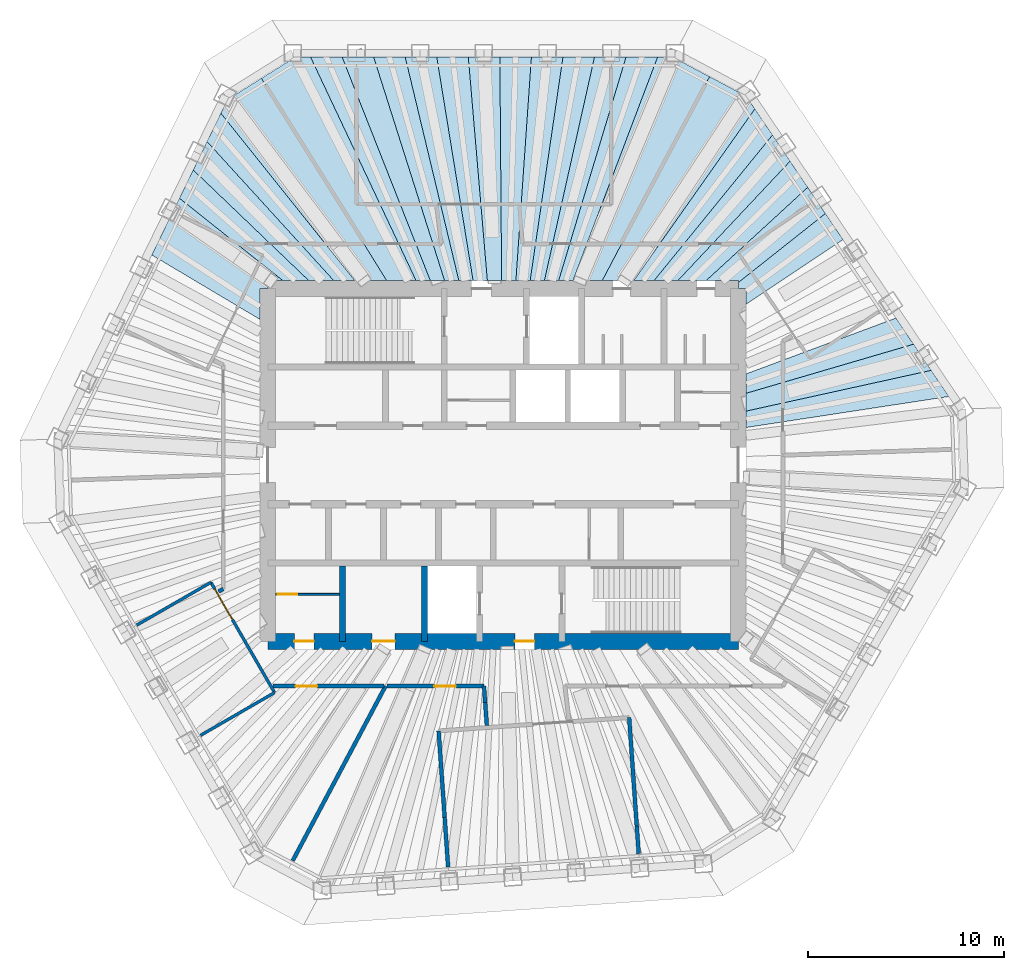
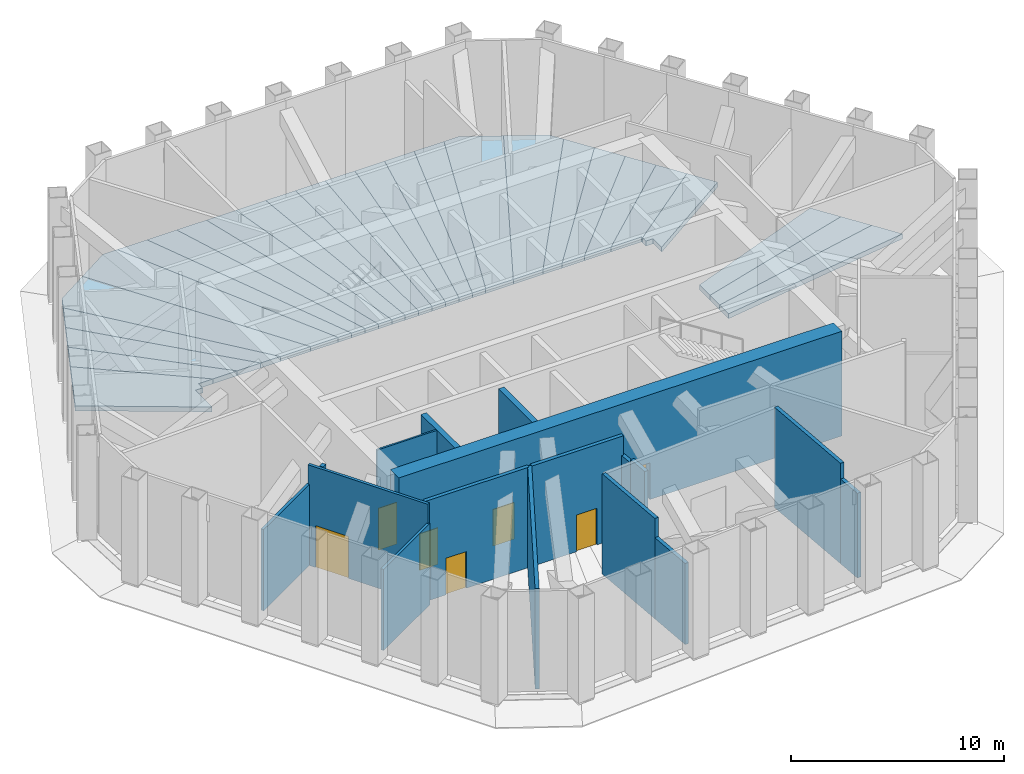
# One storey, part 5 of 10: 27 slabs, 17 walls, 7 doors, 7 openings.
"""IFC4 building model written with IfcOpenShell, lengths in metres."""

from ifc_helpers import new_model, si_unit, direction, frame, frame_2d, origin, place, context, subcontext, project, spatial, polyline, rectangle, outline, extrude, material, layer, layer_set, type_object, element, fill, save


model = new_model("IFC4")

# Units and contexts
model_context = context("Model", 3, precision=1e-05, world=origin(), true_north=direction((0.0, 1.0)))
body_context = subcontext(model_context, "Body", "Model", "MODEL_VIEW")
ifc_project = project(units=[si_unit("LENGTHUNIT", "METRE"), si_unit("AREAUNIT", "SQUARE_METRE"), si_unit("VOLUMEUNIT", "CUBIC_METRE"), si_unit("PLANEANGLEUNIT", "RADIAN"), si_unit("MASSUNIT", "GRAM", prefix="KILO")], contexts=[model_context])

# Site, building, storey
site_placement = place(None, origin())
site = spatial("IfcSite", under=ifc_project, at=site_placement, CompositionType="ELEMENT")
building_placement = place(site_placement, origin())
building = spatial("IfcBuilding", under=site, at=building_placement, Name="Qingtian Harvest Tower", CompositionType="ELEMENT")
storey_placement = place(building_placement, frame((0.0, 0.0, 337.60009765625)))
storey = spatial("IfcBuildingStorey", under=building, at=storey_placement, Name="L75", CompositionType="ELEMENT", Elevation=337.60009765625)

# Slabs
ifc_material_1 = material(Name="Concrete fc' 35 MPa", Category="concrete")
ifc_layer_1 = layer(ifc_material_1, 0.280029296875)
ifc_layer_set_1 = layer_set([ifc_layer_1], Name="Composite floor slab FS28 280")
slab_type = type_object("IfcSlabType", Name="Composite floor slab FS28 280", PredefinedType="FLOOR", material=ifc_layer_set_1)
slab_1_placement = place(storey_placement, frame((0.0, 0.0, -0.280029296875)))
element("IfcSlab", 1, at=slab_1_placement, inside=storey, type_object=slab_type, Name="Floor slab L75 panel D41", PredefinedType="FLOOR", context=body_context, shape_type="SweptSolid", body=[
    extrude(outline(polyline([(12.39990234375, 2.75048828125), (21.838623046875, 4.828369140625), (22.73828125, 3.494384765625), (12.39990234375, 1.91357421875), (12.39990234375, 2.75048828125)])), origin(), (0.0, 0.0, 1.0), 0.280029296875),
])
slab_2_placement = place(storey_placement, frame((0.0, 0.0, -0.280029296875)))
element("IfcSlab", 2, at=slab_2_placement, inside=storey, type_object=slab_type, Name="Floor slab L75 panel D42", PredefinedType="FLOOR", context=body_context, shape_type="SweptSolid", body=[
    extrude(outline(polyline([(12.39990234375, 3.659423828125), (20.93896484375, 6.162353515625), (21.838623046875, 4.828369140625), (12.39990234375, 2.75048828125), (12.39990234375, 3.659423828125)])), origin(), (0.0, 0.0, 1.0), 0.280029296875),
])
slab_3_placement = place(storey_placement, frame((0.0, 0.0, -0.280029296875)))
element("IfcSlab", 3, at=slab_3_placement, inside=storey, type_object=slab_type, Name="Floor slab L75 panel D43", PredefinedType="FLOOR", context=body_context, shape_type="SweptSolid", body=[
    extrude(outline(polyline([(12.39990234375, 4.64990234375), (20.0390625, 7.49609375), (20.93896484375, 6.162353515625), (12.39990234375, 3.659423828125), (12.39990234375, 4.64990234375)])), origin(), (0.0, 0.0, 1.0), 0.280029296875),
])
slab_4_placement = place(storey_placement, frame((0.0, 0.0, -0.280029296875)))
element("IfcSlab", 4, at=slab_4_placement, inside=storey, type_object=slab_type, Name="Floor slab L75 panel D47", PredefinedType="FLOOR", context=body_context, shape_type="SweptSolid", body=[
    extrude(outline(polyline([(12.39990234375, 9.0), (12.0, 9.0), (12.0, 9.30908203125), (16.44140625, 12.830078125), (17.340576171875, 11.4970703125), (12.39990234375, 8.199462890625), (12.39990234375, 9.0)])), origin(), (0.0, 0.0, 1.0), 0.280029296875),
])
slab_5_placement = place(storey_placement, frame((0.0, 0.0, -0.280029296875)))
element("IfcSlab", 5, at=slab_5_placement, inside=storey, type_object=slab_type, Name="Floor slab L75 panel D48", PredefinedType="FLOOR", context=body_context, shape_type="SweptSolid", body=[
    extrude(outline(polyline([(12.0, 9.39990234375), (10.349853515625, 9.39990234375), (15.541259765625, 14.164794921875), (16.44140625, 12.830078125), (12.0, 9.30908203125), (12.0, 9.39990234375)])), origin(), (0.0, 0.0, 1.0), 0.280029296875),
])
slab_6_placement = place(storey_placement, frame((0.0, 0.0, -0.280029296875)))
element("IfcSlab", 6, at=slab_6_placement, inside=storey, type_object=slab_type, Name="Floor slab L75 panel D49", PredefinedType="FLOOR", context=body_context, shape_type="SweptSolid", body=[
    extrude(outline(polyline([(8.907958984375, 9.39990234375), (14.641357421875, 15.498779296875), (15.541259765625, 14.164794921875), (10.349853515625, 9.39990234375), (8.907958984375, 9.39990234375)])), origin(), (0.0, 0.0, 1.0), 0.280029296875),
])
slab_7_placement = place(storey_placement, frame((0.0, 0.0, -0.280029296875)))
element("IfcSlab", 7, at=slab_7_placement, inside=storey, type_object=slab_type, Name="Floor slab L75 panel D50", PredefinedType="FLOOR", context=body_context, shape_type="SweptSolid", body=[
    extrude(outline(polyline([(7.695556640625, 9.39990234375), (13.74169921875, 16.832763671875), (14.641357421875, 15.498779296875), (8.907958984375, 9.39990234375), (7.695556640625, 9.39990234375)])), origin(), (0.0, 0.0, 1.0), 0.280029296875),
])
slab_8_placement = place(storey_placement, frame((0.0, 0.0, -0.280029296875)))
element("IfcSlab", 8, at=slab_8_placement, inside=storey, type_object=slab_type, Name="Floor slab L75 panel D51", PredefinedType="FLOOR", context=body_context, shape_type="SweptSolid", body=[
    extrude(outline(polyline([(6.662109375, 9.39990234375), (12.841796875, 18.16650390625), (13.74169921875, 16.832763671875), (7.695556640625, 9.39990234375), (6.662109375, 9.39990234375)])), origin(), (0.0, 0.0, 1.0), 0.280029296875),
])
slab_9_placement = place(storey_placement, frame((0.0, 0.0, -0.280029296875)))
element("IfcSlab", 9, at=slab_9_placement, inside=storey, type_object=slab_type, Name="Floor slab L75 panel D52", PredefinedType="FLOOR", context=body_context, shape_type="SweptSolid", body=[
    extrude(outline(polyline([(6.662109375, 9.39990234375), (5.05419921875, 9.39990234375), (10.533935546875, 19.809814453125), (12.404296875, 18.8154296875), (12.841796875, 18.16650390625), (6.662109375, 9.39990234375)])), origin(), (0.0, 0.0, 1.0), 0.280029296875),
])
slab_10_placement = place(storey_placement, frame((0.0, 0.0, -0.280029296875)))
element("IfcSlab", 10, at=slab_10_placement, inside=storey, type_object=slab_type, Name="Floor slab L75 panel D53", PredefinedType="FLOOR", context=body_context, shape_type="SweptSolid", body=[
    extrude(outline(polyline([(3.560302734375, 9.39990234375), (7.880126953125, 20.804931640625), (8.662109375, 20.804931640625), (10.533935546875, 19.809814453125), (5.05419921875, 9.39990234375), (3.560302734375, 9.39990234375)])), origin(), (0.0, 0.0, 1.0), 0.280029296875),
])
slab_11_placement = place(storey_placement, frame((0.0, 0.0, -0.280029296875)))
element("IfcSlab", 11, at=slab_11_placement, inside=storey, type_object=slab_type, Name="Floor slab L75 panel D54", PredefinedType="FLOOR", context=body_context, shape_type="SweptSolid", body=[
    extrude(outline(polyline([(2.833251953125, 9.39990234375), (6.27099609375, 20.804931640625), (7.880126953125, 20.804931640625), (3.560302734375, 9.39990234375), (2.833251953125, 9.39990234375)])), origin(), (0.0, 0.0, 1.0), 0.280029296875),
])
slab_12_placement = place(storey_placement, frame((0.0, 0.0, -0.280029296875)))
element("IfcSlab", 12, at=slab_12_placement, inside=storey, type_object=slab_type, Name="Floor slab L75 panel D55", PredefinedType="FLOOR", context=body_context, shape_type="SweptSolid", body=[
    extrude(outline(polyline([(2.1064453125, 9.39990234375), (4.662109375, 20.804931640625), (6.27099609375, 20.804931640625), (2.833251953125, 9.39990234375), (2.1064453125, 9.39990234375)])), origin(), (0.0, 0.0, 1.0), 0.280029296875),
])
slab_13_placement = place(storey_placement, frame((0.0, 0.0, -0.280029296875)))
element("IfcSlab", 13, at=slab_13_placement, inside=storey, type_object=slab_type, Name="Floor slab L75 panel D56", PredefinedType="FLOOR", context=body_context, shape_type="SweptSolid", body=[
    extrude(outline(polyline([(1.37939453125, 9.39990234375), (3.05322265625, 20.804931640625), (4.662109375, 20.804931640625), (2.1064453125, 9.39990234375), (1.37939453125, 9.39990234375)])), origin(), (0.0, 0.0, 1.0), 0.280029296875),
])
slab_14_placement = place(storey_placement, frame((0.0, 0.0, -0.280029296875)))
element("IfcSlab", 14, at=slab_14_placement, inside=storey, type_object=slab_type, Name="Floor slab L75 panel D57", PredefinedType="FLOOR", context=body_context, shape_type="SweptSolid", body=[
    extrude(outline(polyline([(0.652587890625, 9.39990234375), (1.4443359375, 20.804931640625), (3.05322265625, 20.804931640625), (1.37939453125, 9.39990234375), (0.652587890625, 9.39990234375)])), origin(), (0.0, 0.0, 1.0), 0.280029296875),
])
slab_15_placement = place(storey_placement, frame((0.0, 0.0, -0.280029296875)))
element("IfcSlab", 15, at=slab_15_placement, inside=storey, type_object=slab_type, Name="Floor slab L75 panel D58", PredefinedType="FLOOR", context=body_context, shape_type="SweptSolid", body=[
    extrude(outline(polyline([(-0.074462890625, 9.39990234375), (-0.16455078125, 20.804931640625), (1.4443359375, 20.804931640625), (0.652587890625, 9.39990234375), (-0.074462890625, 9.39990234375)])), origin(), (0.0, 0.0, 1.0), 0.280029296875),
])
slab_16_placement = place(storey_placement, frame((0.0, 0.0, -0.280029296875)))
element("IfcSlab", 16, at=slab_16_placement, inside=storey, type_object=slab_type, Name="Floor slab L75 panel D59", PredefinedType="FLOOR", context=body_context, shape_type="SweptSolid", body=[
    extrude(outline(polyline([(-0.80126953125, 9.39990234375), (-1.773681640625, 20.804931640625), (-0.16455078125, 20.804931640625), (-0.074462890625, 9.39990234375), (-0.80126953125, 9.39990234375)])), origin(), (0.0, 0.0, 1.0), 0.280029296875),
])
slab_17_placement = place(storey_placement, frame((0.0, 0.0, -0.280029296875)))
element("IfcSlab", 17, at=slab_17_placement, inside=storey, type_object=slab_type, Name="Floor slab L75 panel D60", PredefinedType="FLOOR", context=body_context, shape_type="SweptSolid", body=[
    extrude(outline(polyline([(-1.5283203125, 9.39990234375), (-3.382568359375, 20.804931640625), (-1.773681640625, 20.804931640625), (-0.80126953125, 9.39990234375), (-1.5283203125, 9.39990234375)])), origin(), (0.0, 0.0, 1.0), 0.280029296875),
])
slab_18_placement = place(storey_placement, frame((0.0, 0.0, -0.280029296875)))
element("IfcSlab", 18, at=slab_18_placement, inside=storey, type_object=slab_type, Name="Floor slab L75 panel D61", PredefinedType="FLOOR", context=body_context, shape_type="SweptSolid", body=[
    extrude(outline(polyline([(-2.255126953125, 9.39990234375), (-4.991455078125, 20.804931640625), (-3.382568359375, 20.804931640625), (-1.5283203125, 9.39990234375), (-2.255126953125, 9.39990234375)])), origin(), (0.0, 0.0, 1.0), 0.280029296875),
])
slab_19_placement = place(storey_placement, frame((0.0, 0.0, -0.280029296875)))
element("IfcSlab", 19, at=slab_19_placement, inside=storey, type_object=slab_type, Name="Floor slab L75 panel D62", PredefinedType="FLOOR", context=body_context, shape_type="SweptSolid", body=[
    extrude(outline(polyline([(-2.982177734375, 9.39990234375), (-6.600341796875, 20.804931640625), (-4.991455078125, 20.804931640625), (-2.255126953125, 9.39990234375), (-2.982177734375, 9.39990234375)])), origin(), (0.0, 0.0, 1.0), 0.280029296875),
])
slab_20_placement = place(storey_placement, frame((0.0, 0.0, -0.280029296875)))
element("IfcSlab", 20, at=slab_20_placement, inside=storey, type_object=slab_type, Name="Floor slab L75 panel D63", PredefinedType="FLOOR", context=body_context, shape_type="SweptSolid", body=[
    extrude(outline(polyline([(-3.708984375, 9.39990234375), (-8.209228515625, 20.804931640625), (-6.600341796875, 20.804931640625), (-2.982177734375, 9.39990234375), (-3.708984375, 9.39990234375)])), origin(), (0.0, 0.0, 1.0), 0.280029296875),
])
slab_21_placement = place(storey_placement, frame((0.0, 0.0, -0.280029296875)))
element("IfcSlab", 21, at=slab_21_placement, inside=storey, type_object=slab_type, Name="Floor slab L75 panel D64", PredefinedType="FLOOR", context=body_context, shape_type="SweptSolid", body=[
    extrude(outline(polyline([(-4.43603515625, 9.39990234375), (-9.818115234375, 20.804931640625), (-8.209228515625, 20.804931640625), (-3.708984375, 9.39990234375), (-4.43603515625, 9.39990234375)])), origin(), (0.0, 0.0, 1.0), 0.280029296875),
])
slab_22_placement = place(storey_placement, frame((0.0, 0.0, -0.280029296875)))
element("IfcSlab", 22, at=slab_22_placement, inside=storey, type_object=slab_type, Name="Floor slab L75 panel D65", PredefinedType="FLOOR", context=body_context, shape_type="SweptSolid", body=[
    extrude(outline(polyline([(-4.43603515625, 9.39990234375), (-5.935302734375, 9.39990234375), (-12.327392578125, 19.725830078125), (-10.600341796875, 20.804931640625), (-9.818115234375, 20.804931640625), (-4.43603515625, 9.39990234375)])), origin(), (0.0, 0.0, 1.0), 0.280029296875),
])
slab_23_placement = place(storey_placement, frame((0.0, 0.0, -0.280029296875)))
element("IfcSlab", 23, at=slab_23_placement, inside=storey, type_object=slab_type, Name="Floor slab L75 panel D66", PredefinedType="FLOOR", context=body_context, shape_type="SweptSolid", body=[
    extrude(outline(polyline([(-5.935302734375, 9.39990234375), (-7.560302734375, 9.39990234375), (-14.3955078125, 17.944580078125), (-14.052490234375, 18.64794921875), (-12.327392578125, 19.725830078125), (-5.935302734375, 9.39990234375)])), origin(), (0.0, 0.0, 1.0), 0.280029296875),
])
slab_24_placement = place(storey_placement, frame((0.0, 0.0, -0.280029296875)))
element("IfcSlab", 24, at=slab_24_placement, inside=storey, type_object=slab_type, Name="Floor slab L75 panel D67", PredefinedType="FLOOR", context=body_context, shape_type="SweptSolid", body=[
    extrude(outline(polyline([(-8.62890625, 9.39990234375), (-15.100830078125, 16.498291015625), (-14.3955078125, 17.944580078125), (-7.560302734375, 9.39990234375), (-8.62890625, 9.39990234375)])), origin(), (0.0, 0.0, 1.0), 0.280029296875),
])
slab_25_placement = place(storey_placement, frame((0.0, 0.0, -0.280029296875)))
element("IfcSlab", 25, at=slab_25_placement, inside=storey, type_object=slab_type, Name="Floor slab L75 panel D68", PredefinedType="FLOOR", context=body_context, shape_type="SweptSolid", body=[
    extrude(outline(polyline([(-9.90380859375, 9.39990234375), (-15.80615234375, 15.05224609375), (-15.100830078125, 16.498291015625), (-8.62890625, 9.39990234375), (-9.90380859375, 9.39990234375)])), origin(), (0.0, 0.0, 1.0), 0.280029296875),
])
slab_26_placement = place(storey_placement, frame((0.0, 0.0, -0.280029296875)))
element("IfcSlab", 26, at=slab_26_placement, inside=storey, type_object=slab_type, Name="Floor slab L75 panel D69", PredefinedType="FLOOR", context=body_context, shape_type="SweptSolid", body=[
    extrude(outline(polyline([(-11.224853515625, 9.39990234375), (-16.509765625, 13.609619140625), (-15.80615234375, 15.05224609375), (-9.90380859375, 9.39990234375), (-11.224853515625, 9.39990234375)])), origin(), (0.0, 0.0, 1.0), 0.280029296875),
])
slab_27_placement = place(storey_placement, frame((0.0, 0.0, -0.280029296875)))
element("IfcSlab", 27, at=slab_27_placement, inside=storey, type_object=slab_type, Name="Floor slab L75 panel D70", PredefinedType="FLOOR", context=body_context, shape_type="SweptSolid", body=[
    extrude(outline(polyline([(-12.0, 9.0), (-12.39990234375, 9.0), (-12.39990234375, 7.42578125), (-17.921875, 10.714599609375), (-16.509765625, 13.609619140625), (-11.224853515625, 9.39990234375), (-12.0, 9.39990234375), (-12.0, 9.0)])), origin(), (0.0, 0.0, 1.0), 0.280029296875),
])

# Walls
ifc_material_2 = material(Name="Precast concrete shaft panel", Category="concrete")
ifc_layer_2 = layer(ifc_material_2, 0.300048828125)
ifc_layer_set_2 = layer_set([ifc_layer_2], Name="Core shaft partition SW1 300")
wall_type_1 = type_object("IfcWallType", Name="Core shaft partition SW1 300", PredefinedType="PARTITIONING", material=ifc_layer_set_2)
for number, where, z_axis, x_axis, name in (
    (28, (-8.199951171875, -9.0, 0.0), (0.0, 0.0, 1.0), (0.0, 1.0, 0.0), "Core shaft partition XS1 L75"),
    (29, (-4.0, -9.0, 0.0), (0.0, 0.0, 1.0), (0.0, 1.0, 0.0), "Core shaft partition XS2 L75"),
):
    element("IfcWall", number, at=place(storey_placement, frame(where, z_axis=z_axis, x_axis=x_axis)), inside=storey, type_object=wall_type_1, Name=name, PredefinedType="PARTITIONING", context=body_context, shape_type="SweptSolid", body=[
        extrude(rectangle(XDim=3.85009765625, YDim=0.300048828125, at=frame_2d((1.925048828125, 0.0))), origin(), (0.0, 0.0, 1.0), 5.77978515625),
    ])

# Wall, openings, doors
ifc_material_3 = material(Name="Concrete fc' 70 MPa", Category="concrete")
ifc_layer_3 = layer(ifc_material_3, 0.800048828125)
ifc_layer_set_3 = layer_set([ifc_layer_3], Name="Core wall RC4 800")
wall_type_2 = type_object("IfcWallType", Name="Core wall RC4 800", PredefinedType="SHEAR", material=ifc_layer_set_3)
wall_1_placement = place(storey_placement, frame((-12.0, -9.0, 0.0), z_axis=(0.0, 0.0, 1.0), x_axis=(1.0, 0.0, 0.0)))
wall_1 = element("IfcWall", 30, at=wall_1_placement, inside=storey, type_object=wall_type_2, Name="Core wall CS L75", PredefinedType="SHEAR", context=body_context, shape_type="SweptSolid", body=[
    extrude(rectangle(XDim=24.0, YDim=0.800048828125, at=frame_2d((12.0, 0.0))), origin(), (0.0, 0.0, 1.0), 6.0),
])
opening_1_placement = place(wall_1_placement, frame((1.35009765625, 0.0, 0.0)))
opening_1 = element("IfcOpeningElement", 31, at=opening_1_placement, cuts=wall_1, Name="Opening FD1", PredefinedType="OPENING", context=body_context, shape_type="SweptSolid", body=[
    extrude(rectangle(XDim=1.0, YDim=2.10009765625, at=frame_2d((0.5, 1.050048828125))), frame((0.0, 0.409912109375, 0.0), z_axis=(0.0, -1.0, 0.0), x_axis=(1.0, 0.0, 0.0)), (0.0, 0.0, 1.0), 0.820068359375),
])
opening_2_placement = place(wall_1_placement, frame((5.324951171875, 0.0, 0.0)))
opening_2 = element("IfcOpeningElement", 32, at=opening_2_placement, cuts=wall_1, Name="Opening AD1", PredefinedType="OPENING", context=body_context, shape_type="SweptSolid", body=[
    extrude(rectangle(XDim=1.14990234375, YDim=2.10009765625, at=frame_2d((0.574951171875, 1.050048828125))), frame((0.0, 0.409912109375, 0.0), z_axis=(0.0, -1.0, 0.0), x_axis=(1.0, 0.0, 0.0)), (0.0, 0.0, 1.0), 0.820068359375),
])
opening_3_placement = place(wall_1_placement, frame((12.60009765625, 0.0, 0.0)))
opening_3 = element("IfcOpeningElement", 33, at=opening_3_placement, cuts=wall_1, Name="Opening FD1", PredefinedType="OPENING", context=body_context, shape_type="SweptSolid", body=[
    extrude(rectangle(XDim=1.0, YDim=2.10009765625, at=frame_2d((0.5, 1.050048828125))), frame((0.0, 0.409912109375, 0.0), z_axis=(0.0, -1.0, 0.0), x_axis=(1.0, 0.0, 0.0)), (0.0, 0.0, 1.0), 0.820068359375),
])
ifc_material_4 = material(Name="Laminated timber door leaf", Category="wood")
door_type_1 = type_object("IfcDoorType", Name="Accessible WC door AD1 single", OperationType="SINGLE_SWING_LEFT", PredefinedType="DOOR", material=ifc_material_4)
door_1_placement = place(opening_2_placement, origin())
door_1 = element("IfcDoor", 34, at=door_1_placement, inside=storey, type_object=door_type_1, Name="AWC door L75", OperationType="SINGLE_SWING_RIGHT", OverallHeight=2.10009765625, OverallWidth=1.14990234375, PredefinedType="DOOR", context=body_context, shape_type="SweptSolid", body=[
    extrude(rectangle(XDim=1.14990234375, YDim=2.10009765625, at=frame_2d((0.574951171875, 1.050048828125))), frame((0.0, 0.02490234375, 0.0), z_axis=(0.0, -1.0, 0.0), x_axis=(1.0, 0.0, 0.0)), (0.0, 0.0, 1.0), 0.050048828125),
])
fill(opening_2, door_1)
ifc_material_5 = material(Name="Steel-faced door leaf", Category="steel")
door_type_2 = type_object("IfcDoorType", Name="Fire door FD1 single 1 HR", OperationType="SINGLE_SWING_LEFT", PredefinedType="DOOR", material=ifc_material_5)
door_2_placement = place(opening_1_placement, origin())
door_2 = element("IfcDoor", 35, at=door_2_placement, inside=storey, type_object=door_type_2, Name="CLN door L75", OperationType="SINGLE_SWING_LEFT", OverallHeight=2.10009765625, OverallWidth=1.0, PredefinedType="DOOR", context=body_context, shape_type="SweptSolid", body=[
    extrude(rectangle(XDim=1.0, YDim=2.10009765625, at=frame_2d((0.5, 1.050048828125))), frame((0.0, 0.02490234375, 0.0), z_axis=(0.0, -1.0, 0.0), x_axis=(1.0, 0.0, 0.0)), (0.0, 0.0, 1.0), 0.050048828125),
])
fill(opening_1, door_2)
door_3_placement = place(opening_3_placement, origin())
door_3 = element("IfcDoor", 36, at=door_3_placement, inside=storey, type_object=door_type_2, Name="V2 door L75", OperationType="SINGLE_SWING_LEFT", OverallHeight=2.10009765625, OverallWidth=1.0, PredefinedType="DOOR", context=body_context, shape_type="SweptSolid", body=[
    extrude(rectangle(XDim=1.0, YDim=2.10009765625, at=frame_2d((0.5, 1.050048828125))), frame((0.0, 0.02490234375, 0.0), z_axis=(0.0, -1.0, 0.0), x_axis=(1.0, 0.0, 0.0)), (0.0, 0.0, 1.0), 0.050048828125),
])
fill(opening_3, door_3)

# Walls
ifc_material_6 = material(Name="Blockwork fire wall", Category="masonry")
ifc_layer_4 = layer(ifc_material_6, 0.199951171875)
ifc_layer_set_4 = layer_set([ifc_layer_4], Name="Fire partition FW1 200")
wall_type_3 = type_object("IfcWallType", Name="Fire partition FW1 200", PredefinedType="PARTITIONING", material=ifc_layer_set_4)
wall_2_placement = place(storey_placement, frame((6.917724609375, -19.82568359375, 0.0), z_axis=(0.0, 0.0, 1.0), x_axis=(-0.069722385129, 0.997566433383, 0.0)))
element("IfcWall", 37, at=wall_2_placement, inside=storey, type_object=wall_type_3, Name="Building maintenance unit room wall L75", PredefinedType="PARTITIONING", context=body_context, shape_type="SweptSolid", body=[
    extrude(rectangle(XDim=1.4111328125, YDim=0.199951171875, at=frame_2d((0.70556640625, 0.0))), origin(), (0.0, 0.0, 1.0), 4.849853515625),
])
wall_3_placement = place(storey_placement, frame((-2.802734375, -20.50537109375, 0.0), z_axis=(0.0, 0.0, 1.0), x_axis=(-0.069753698722, 0.997564244304, 0.0)))
element("IfcWall", 38, at=wall_3_placement, inside=storey, type_object=wall_type_3, Name="Building maintenance unit room wall L75", PredefinedType="PARTITIONING", context=body_context, shape_type="SweptSolid", body=[
    extrude(rectangle(XDim=2.54443359375, YDim=0.199951171875, at=frame_2d((1.272216796875, 0.0))), origin(), (0.0, 0.0, 1.0), 4.64990234375),
])
wall_4_placement = place(storey_placement, frame((-14.27490234375, -6.320068359375, 0.0), z_axis=(0.0, 0.0, 1.0), x_axis=(-0.866140847338, -0.499799992569, 0.0)))
element("IfcWall", 39, at=wall_4_placement, inside=storey, type_object=wall_type_3, Name="Pump plant room wall L75", PredefinedType="PARTITIONING", context=body_context, shape_type="SweptSolid", body=[
    extrude(rectangle(XDim=0.2724609375, YDim=0.199951171875, at=frame_2d((0.13623046875, 0.0))), origin(), (0.0, 0.0, 1.0), 5.75),
])

# Wall, opening, door
wall_5_placement = place(storey_placement, frame((-6.073974609375, -11.27490234375, 0.0), z_axis=(0.0, 0.0, 1.0), x_axis=(-1.0, 0.0, 0.0)))
wall_5 = element("IfcWall", 40, at=wall_5_placement, inside=storey, type_object=wall_type_3, Name="Fan plant room wall L75", PredefinedType="PARTITIONING", context=body_context, shape_type="SweptSolid", body=[
    extrude(rectangle(XDim=5.65478515625, YDim=0.199951171875, at=frame_2d((2.827392578125, 0.0))), origin(), (0.0, 0.0, 1.0), 5.75),
])
opening_4_placement = place(wall_5_placement, frame((3.408447265625, 0.0, 0.0)))
opening_4 = element("IfcOpeningElement", 41, at=opening_4_placement, cuts=wall_5, Name="Opening FD4", PredefinedType="OPENING", context=body_context, shape_type="SweptSolid", body=[
    extrude(rectangle(XDim=1.10009765625, YDim=2.10009765625, at=frame_2d((0.550048828125, 1.050048828125))), frame((0.0, 0.10986328125, 0.0), z_axis=(0.0, -1.0, 0.0), x_axis=(1.0, 0.0, 0.0)), (0.0, 0.0, 1.0), 0.219970703125),
])
ifc_material_7 = material(Name="Steel-faced door leaf", Category="steel")
door_type_3 = type_object("IfcDoorType", Name="Fire door FD4 single 2 HR", OperationType="SINGLE_SWING_LEFT", PredefinedType="DOOR", material=ifc_material_7)
door_4_placement = place(opening_4_placement, origin())
door_4 = element("IfcDoor", 42, at=door_4_placement, inside=storey, type_object=door_type_3, Name="Fan plant room door L75", OperationType="SINGLE_SWING_RIGHT", OverallHeight=2.10009765625, OverallWidth=1.10009765625, PredefinedType="DOOR", context=body_context, shape_type="SweptSolid", body=[
    extrude(rectangle(XDim=1.10009765625, YDim=2.10009765625, at=frame_2d((0.550048828125, 1.050048828125))), frame((0.0, 0.02490234375, 0.0), z_axis=(0.0, -1.0, 0.0), x_axis=(1.0, 0.0, 0.0)), (0.0, 0.0, 1.0), 0.050048828125),
])
fill(opening_4, door_4)

wall_6_placement = place(storey_placement, frame((-0.9755859375, -11.27490234375, 0.0), z_axis=(0.0, 0.0, 1.0), x_axis=(-1.0, 0.0, 0.0)))
wall_6 = element("IfcWall", 43, at=wall_6_placement, inside=storey, type_object=wall_type_3, Name="Electrical plant room wall L75", PredefinedType="PARTITIONING", context=body_context, shape_type="SweptSolid", body=[
    extrude(rectangle(XDim=4.94580078125, YDim=0.199951171875, at=frame_2d((2.472900390625, 0.0))), origin(), (0.0, 0.0, 1.0), 5.75),
])
opening_5_placement = place(wall_6_placement, frame((1.42822265625, 0.0, 0.0)))
opening_5 = element("IfcOpeningElement", 44, at=opening_5_placement, cuts=wall_6, Name="Opening FD4", PredefinedType="OPENING", context=body_context, shape_type="SweptSolid", body=[
    extrude(rectangle(XDim=1.10009765625, YDim=2.10009765625, at=frame_2d((0.550048828125, 1.050048828125))), frame((0.0, 0.10986328125, 0.0), z_axis=(0.0, -1.0, 0.0), x_axis=(1.0, 0.0, 0.0)), (0.0, 0.0, 1.0), 0.219970703125),
])
door_5_placement = place(opening_5_placement, origin())
door_5 = element("IfcDoor", 45, at=door_5_placement, inside=storey, type_object=door_type_3, Name="Electrical plant room door L75", OperationType="SINGLE_SWING_LEFT", OverallHeight=2.10009765625, OverallWidth=1.10009765625, PredefinedType="DOOR", context=body_context, shape_type="SweptSolid", body=[
    extrude(rectangle(XDim=1.10009765625, YDim=2.10009765625, at=frame_2d((0.550048828125, 1.050048828125))), frame((0.0, 0.02490234375, 0.0), z_axis=(0.0, -1.0, 0.0), x_axis=(1.0, 0.0, 0.0)), (0.0, 0.0, 1.0), 0.050048828125),
])
fill(opening_5, door_5)

# Walls
wall_7_placement = place(storey_placement, frame((-0.827880859375, -13.28515625, 0.0), z_axis=(0.0, 0.0, 1.0), x_axis=(-0.073346553246, 0.99730651413, 0.0)))
element("IfcWall", 46, at=wall_7_placement, inside=storey, type_object=wall_type_3, Name="Electrical plant room wall L75", PredefinedType="PARTITIONING", context=body_context, shape_type="SweptSolid", body=[
    extrude(rectangle(XDim=1.181640625, YDim=0.199951171875, at=frame_2d((0.5908203125, 0.0))), origin(), (0.0, 0.0, 1.0), 4.849853515625),
])
wall_8_placement = place(storey_placement, frame((-5.9951171875, -11.27490234375, 0.0), z_axis=(0.0, 0.0, 1.0), x_axis=(-0.4694648611, -0.882951156176, 0.0)))
element("IfcWall", 47, at=wall_8_placement, inside=storey, type_object=wall_type_3, Name="Plant room wall L75", PredefinedType="PARTITIONING", context=body_context, shape_type="SweptSolid", body=[
    extrude(rectangle(XDim=10.087646484375, YDim=0.199951171875, at=frame_2d((5.0439453125, 0.0))), origin(), (0.0, 0.0, 1.0), 5.75),
])
wall_9_placement = place(storey_placement, frame((6.8193359375, -18.41796875, 0.0), z_axis=(0.0, 0.0, 1.0), x_axis=(-0.069783591025, 0.997562153664, 0.0)))
element("IfcWall", 48, at=wall_9_placement, inside=storey, type_object=wall_type_3, Name="Building maintenance unit room wall L75", PredefinedType="PARTITIONING", context=body_context, shape_type="SweptSolid", body=[
    extrude(rectangle(XDim=5.548583984375, YDim=0.199951171875, at=frame_2d((2.7744140625, 0.0))), origin(), (0.0, 0.0, 1.0), 5.75),
])
wall_10_placement = place(storey_placement, frame((-2.980224609375, -17.967041015625, 0.0), z_axis=(0.0, 0.0, 1.0), x_axis=(-0.069726231003, 0.997566164578, 0.0)))
element("IfcWall", 49, at=wall_10_placement, inside=storey, type_object=wall_type_3, Name="Building maintenance unit room wall L75", PredefinedType="PARTITIONING", context=body_context, shape_type="SweptSolid", body=[
    extrude(rectangle(XDim=4.415283203125, YDim=0.199951171875, at=frame_2d((2.20751953125, 0.0))), origin(), (0.0, 0.0, 1.0), 5.75),
])
wall_11_placement = place(storey_placement, frame((-0.91455078125, -12.106689453125, 0.0), z_axis=(0.0, 0.0, 1.0), x_axis=(-0.073181584457, 0.997318632984, 0.0)))
element("IfcWall", 50, at=wall_11_placement, inside=storey, type_object=wall_type_3, Name="Electrical plant room wall L75", PredefinedType="PARTITIONING", context=body_context, shape_type="SweptSolid", body=[
    extrude(rectangle(XDim=0.833984375, YDim=0.199951171875, at=frame_2d((0.4169921875, 0.0))), origin(), (0.0, 0.0, 1.0), 4.64990234375),
])
ifc_material_8 = material(Name="Gypsum board on steel studs", Category="steel")
ifc_layer_5 = layer(ifc_material_8, 0.14990234375)
ifc_layer_set_5 = layer_set([ifc_layer_5], Name="Partition PT1 150")
wall_type_4 = type_object("IfcWallType", Name="Partition PT1 150", PredefinedType="PARTITIONING", material=ifc_layer_set_5)
for number, where, z_axis, x_axis, name in (
    (51, (-15.4326171875, -13.7900390625, 0.0), (0.0, 0.0, 1.0), (0.866032659912, 0.499987431809, 0.0), "Switch room wall L75"),
    (52, (-18.6806640625, -8.164306640625, 0.0), (0.0, 0.0, 1.0), (0.866032659912, 0.499987431809, 0.0), "Switch room wall L75"),
):
    element("IfcWall", number, at=place(storey_placement, frame(where, z_axis=z_axis, x_axis=x_axis)), inside=storey, type_object=wall_type_4, Name=name, PredefinedType="PARTITIONING", context=body_context, shape_type="SweptSolid", body=[
        extrude(rectangle(XDim=4.35986328125, YDim=0.14990234375, at=frame_2d((2.179931640625, 0.0))), origin(), (0.0, 0.0, 1.0), 4.64990234375),
    ])

# Wall, opening, door
wall_12_placement = place(storey_placement, frame((-11.65673828125, -11.610107421875, 0.0), z_axis=(0.0, 0.0, 1.0), x_axis=(-0.500003318956, 0.866023487576, 0.0)))
wall_12 = element("IfcWall", 53, at=wall_12_placement, inside=storey, type_object=wall_type_4, Name="Switch room wall L75", PredefinedType="PARTITIONING", context=body_context, shape_type="SweptSolid", body=[
    extrude(rectangle(XDim=6.49609375, YDim=0.14990234375, at=frame_2d((3.248046875, 0.0))), origin(), (0.0, 0.0, 1.0), 5.75),
])
opening_6_placement = place(wall_12_placement, frame((4.296875, 0.0, 0.0)))
opening_6 = element("IfcOpeningElement", 54, at=opening_6_placement, cuts=wall_12, Name="Opening D3", PredefinedType="OPENING", context=body_context, shape_type="SweptSolid", body=[
    extrude(rectangle(XDim=1.800048828125, YDim=2.39990234375, at=frame_2d((0.89990234375, 1.199951171875))), frame((0.0, 0.0849609375, 0.0), z_axis=(0.0, -1.0, 0.0), x_axis=(1.0, 0.0, 0.0)), (0.0, 0.0, 1.0), 0.169921875),
])
ifc_material_9 = material(Name="Laminated timber door leaf", Category="wood")
door_type_4 = type_object("IfcDoorType", Name="Room door D3 double", OperationType="DOUBLE_DOOR_DOUBLE_SWING", PredefinedType="DOOR", material=ifc_material_9)
door_6_placement = place(opening_6_placement, origin())
door_6 = element("IfcDoor", 55, at=door_6_placement, inside=storey, type_object=door_type_4, Name="Switch room door L75", OperationType="DOUBLE_DOOR_DOUBLE_SWING", OverallHeight=2.39990234375, OverallWidth=1.800048828125, PredefinedType="DOOR", context=body_context, shape_type="SweptSolid", body=[
    extrude(rectangle(XDim=1.800048828125, YDim=2.39990234375, at=frame_2d((0.89990234375, 1.199951171875))), frame((0.0, 0.02490234375, 0.0), z_axis=(0.0, -1.0, 0.0), x_axis=(1.0, 0.0, 0.0)), (0.0, 0.0, 1.0), 0.050048828125),
])
fill(opening_6, door_6)

ifc_material_10 = material(Name="Concrete block partition", Category="concrete")
ifc_layer_6 = layer(ifc_material_10, 0.10009765625)
ifc_layer_set_6 = layer_set([ifc_layer_6], Name="Store partition PT3 100")
wall_type_5 = type_object("IfcWallType", Name="Store partition PT3 100", PredefinedType="PARTITIONING", material=ifc_layer_set_6)
wall_13_placement = place(storey_placement, frame((-11.60009765625, -6.60009765625, 0.0), z_axis=(0.0, 0.0, 1.0), x_axis=(1.0, 0.0, 0.0)))
wall_13 = element("IfcWall", 56, at=wall_13_placement, inside=storey, type_object=wall_type_5, Name="Oil store wall L75", PredefinedType="PARTITIONING", context=body_context, shape_type="SweptSolid", body=[
    extrude(rectangle(XDim=3.25, YDim=0.10009765625, at=frame_2d((1.625, 0.0))), origin(), (0.0, 0.0, 1.0), 5.77978515625),
])
opening_7_placement = place(wall_13_placement, frame((0.10009765625, 0.0, 0.0)))
opening_7 = element("IfcOpeningElement", 57, at=opening_7_placement, cuts=wall_13, Name="Opening D2", PredefinedType="OPENING", context=body_context, shape_type="SweptSolid", body=[
    extrude(rectangle(XDim=1.0, YDim=2.39990234375, at=frame_2d((0.5, 1.199951171875))), frame((0.0, 0.06005859375, 0.0), z_axis=(0.0, -1.0, 0.0), x_axis=(1.0, 0.0, 0.0)), (0.0, 0.0, 1.0), 0.1201171875),
])
ifc_material_11 = material(Name="Laminated timber door leaf", Category="wood")
door_type_5 = type_object("IfcDoorType", Name="Room door D2 single", OperationType="SINGLE_SWING_LEFT", PredefinedType="DOOR", material=ifc_material_11)
door_7_placement = place(opening_7_placement, origin())
door_7 = element("IfcDoor", 58, at=door_7_placement, inside=storey, type_object=door_type_5, Name="Oil store door L75", OperationType="SINGLE_SWING_LEFT", OverallHeight=2.39990234375, OverallWidth=1.0, PredefinedType="DOOR", context=body_context, shape_type="SweptSolid", body=[
    extrude(rectangle(XDim=1.0, YDim=2.39990234375, at=frame_2d((0.5, 1.199951171875))), frame((0.0, 0.02490234375, 0.0), z_axis=(0.0, -1.0, 0.0), x_axis=(1.0, 0.0, 0.0)), (0.0, 0.0, 1.0), 0.050048828125),
])
fill(opening_7, door_7)

save(model, "model.ifc")
